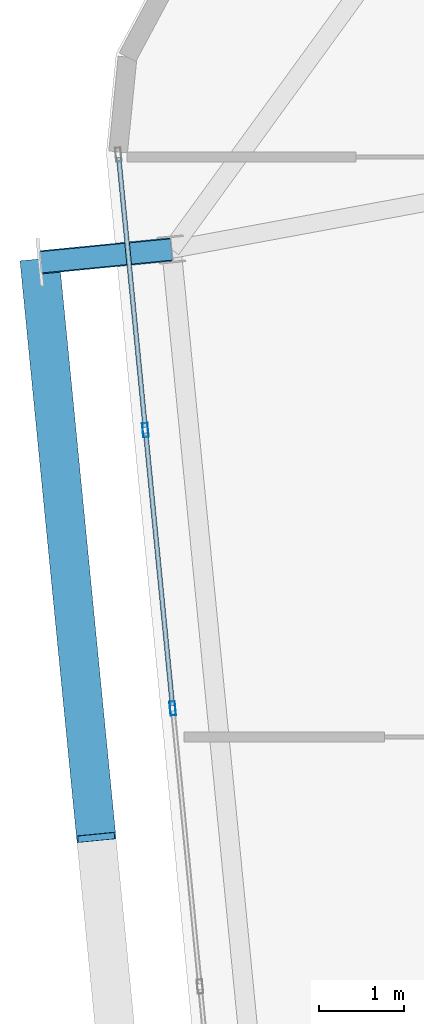
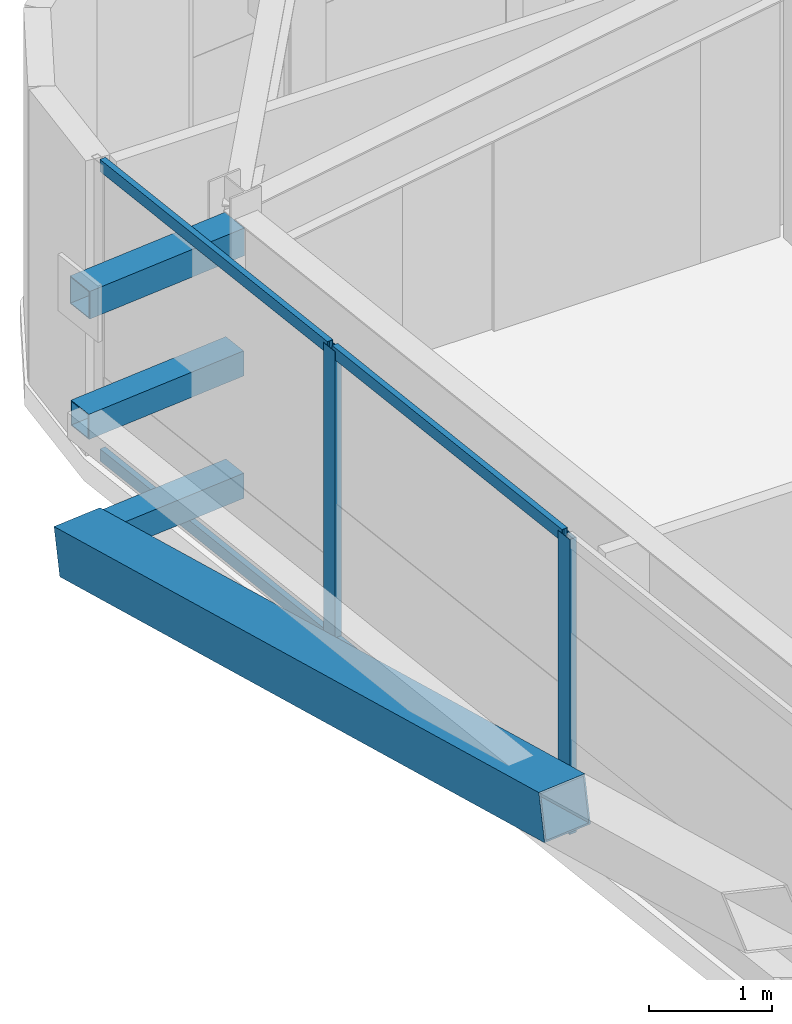
# One storey, part 15 of 52: 10 members, 1 element without a shape of its own.
"""IFC4 building model written with IfcOpenShell, lengths in metres."""

from ifc_helpers import new_model, si_unit, direction, frame, origin, origin_2d, place, context, subcontext, project, spatial, hollow_rectangle, extrude, source, transform, mapped, material, layer, layer_set, material_profile, profile_set, type_object, element, aggregate, save


model = new_model("IFC4")

# Units and contexts
model_context = context("Model", 3, precision=1e-05, world=origin(), true_north=direction((0.0, 1.0)))
body_context = subcontext(model_context, "Body", "Model", "MODEL_VIEW")
ifc_project = project(units=[si_unit("LENGTHUNIT", "METRE"), si_unit("AREAUNIT", "SQUARE_METRE"), si_unit("VOLUMEUNIT", "CUBIC_METRE"), si_unit("PLANEANGLEUNIT", "RADIAN"), si_unit("MASSUNIT", "GRAM", prefix="KILO")], contexts=[model_context])

# Site, building, storey
site_placement = place(None, origin())
site = spatial("IfcSite", under=ifc_project, at=site_placement, CompositionType="ELEMENT")
building_placement = place(site_placement, origin())
building = spatial("IfcBuilding", under=site, at=building_placement, Name="Taldren Reach Tower", CompositionType="ELEMENT")
storey_placement = place(building_placement, frame((0.0, 0.0, 93.449951171875)))
storey = spatial("IfcBuildingStorey", under=building, at=storey_placement, Name="L28", CompositionType="ELEMENT", Elevation=93.449951171875)

# Members
ifc_material_1 = material(Name="Steel Gr 450 (C450L0)", Category="steel")
ifc_material_profile_1 = material_profile(ifc_material_1, hollow_rectangle(XDim=0.27490234375, YDim=0.27490234375, WallThickness=0.00927734375, at=origin_2d()), Name="275x275x9.3SHS")
ifc_profile_set_1 = profile_set([ifc_material_profile_1], Name="Steel Gr 450 (C450L0)")
member_type_1 = type_object("IfcMemberType", Name="MB-TIE273", PredefinedType="STRUT", material=ifc_profile_set_1)
shared_shape_1 = source(origin(), body_context, "Body", "SweptSolid", [
    extrude(hollow_rectangle(XDim=0.27490234375, YDim=0.27490234375, WallThickness=0.00927734375, at=origin_2d()), origin(), (0.0, 0.0, 1.0), 1.550048828125),
])
member_1_placement = place(storey_placement, frame((8.808349609375, 30.116455078125, 2.650146484375), z_axis=(-0.9952210252, -0.097647892962, 0.0), x_axis=(0.097647892962, -0.9952210252, 0.0)))
element("IfcMember", 1, at=member_1_placement, inside=storey, type_object=member_type_1, Name="Exoskeleton diaphragm tie strut B2-W3 L28", PredefinedType="STRUT", context=body_context, shape_type="MappedRepresentation", body=[
    mapped(shared_shape_1, transform((0.0, 0.0, 0.0), scale=1.0)),
])
ifc_material_2 = material(Name="Steel Gr 350 (C350L0)", Category="steel")
ifc_material_profile_2 = material_profile(ifc_material_2, hollow_rectangle(XDim=0.25, YDim=0.25, WallThickness=0.010009765625, at=origin_2d()), Name="250x250x10.0SHS")
ifc_profile_set_2 = profile_set([ifc_material_profile_2], Name="Steel Gr 350 (C350L0)")
member_type_2 = type_object("IfcMemberType", Name="MB-POST250", PredefinedType="POST", material=ifc_profile_set_2)
shared_shape_2 = source(origin(), body_context, "Body", "SweptSolid", [
    extrude(hollow_rectangle(XDim=0.25, YDim=0.25, WallThickness=0.010009765625, at=origin_2d()), origin(), (0.0, 0.0, 1.0), 1.550048828125),
])
for number, where, z_axis, x_axis, name in (
    (2, (8.808349609375, 30.116455078125, 0.219970703125), (-0.9952210252, -0.097647892962, 0.0), (0.097647892962, -0.9952210252, 0.0), "Exoskeleton base diaphragm tie strut B2-W3 L28"),
    (3, (8.808349609375, 30.116455078125, 1.43505859375), (-0.9952210252, -0.097647892962, 0.0), (0.097647892962, -0.9952210252, 0.0), "Exoskeleton mid-tier diaphragm tie B2-W3 L28"),
):
    element("IfcMember", number, at=place(storey_placement, frame(where, z_axis=z_axis, x_axis=x_axis)), inside=storey, type_object=member_type_2, Name=name, PredefinedType="POST", context=body_context, shape_type="MappedRepresentation", body=[
        mapped(shared_shape_2, transform((0.0, 0.0, 0.0), scale=1.0)),
    ])
ifc_material_profile_3 = material_profile(ifc_material_1, hollow_rectangle(XDim=0.4599609375, YDim=0.4599609375, WallThickness=0.01611328125, at=origin_2d()), Name="460x460x16.0SHS")
ifc_profile_set_3 = profile_set([ifc_material_profile_3], Name="Steel Gr 450 (C450L0)")
member_type_3 = type_object("IfcMemberType", Name="MB-EXO457", PredefinedType="BRACE", material=ifc_profile_set_3)
shared_shape_3 = source(origin(), body_context, "Body", "SweptSolid", [
    extrude(hollow_rectangle(XDim=0.4599609375, YDim=0.4599609375, WallThickness=0.01611328125, at=origin_2d()), origin(), (0.0, 0.0, 1.0), 6.883056640625),
])
member_2_placement = place(storey_placement, frame((7.265625, 29.965087890625, 0.219970703125), z_axis=(0.09605145821, -0.97959718347, 0.176531797456), x_axis=(0.995227290009, 0.097584021339, 0.0)))
element("IfcMember", 4, at=member_2_placement, inside=storey, type_object=member_type_3, Name="Exoskeleton Diagrid Brace B2-W2 L28", PredefinedType="BRACE", context=body_context, shape_type="MappedRepresentation", body=[
    mapped(shared_shape_3, transform((0.0, 0.0, 0.0), scale=1.0)),
])

# Curtain wall, members
ifc_material_3 = material(Name="Aluminium and Low-E Glass Unitised System", Category="aluminium")
ifc_layer = layer(ifc_material_3, 0.159912109375)
ifc_layer_set = layer_set([ifc_layer], Name="Aluminium and Low-E Glass Unitised System")
curtain_wall_type = type_object("IfcCurtainWallType", Name="CW-SYS-3", PredefinedType="NOTDEFINED", material=ifc_layer_set)
curtain_wall_placement = place(storey_placement, origin())
curtain_wall = element("IfcCurtainWall", 5, at=curtain_wall_placement, inside=storey, type_object=curtain_wall_type, Name="Unitised curtain wall CW-L28-W", PredefinedType="NOTDEFINED")
ifc_material_4 = material(Name="Anodised Aluminium 6063-T6", Category="aluminium")
ifc_material_profile_4 = material_profile(ifc_material_4, hollow_rectangle(XDim=0.06494140625, YDim=0.1650390625, WallThickness=0.00390625, at=origin_2d()), Name="ALU-165x65x4RHS")
ifc_profile_set_4 = profile_set([ifc_material_profile_4], Name="Anodised Aluminium 6063-T6")
member_type_4 = type_object("IfcMemberType", Name="CW-MUL-165", PredefinedType="MULLION", material=ifc_profile_set_4)
shared_shape_4 = source(origin(), body_context, "Body", "SweptSolid", [
    extrude(hollow_rectangle(XDim=0.06494140625, YDim=0.1650390625, WallThickness=0.00390625, at=origin_2d()), origin(), (0.0, 0.0, 1.0), 2.929931640625),
])
member_3_placement = place(storey_placement, frame((8.50341796875, 27.998779296875, 0.0), z_axis=(0.0, 0.0, 1.0), x_axis=(0.99522741555, 0.09758274098, 0.0)))
member_3 = element("IfcMember", 6, at=member_3_placement, type_object=member_type_4, Name="CW-3 mullion 2", PredefinedType="MULLION", context=body_context, shape_type="MappedRepresentation", body=[
    mapped(shared_shape_4, transform((0.0, 0.0, 0.0), scale=1.0)),
])
member_4_placement = place(storey_placement, frame((8.8232421875, 24.736572265625, 0.0), z_axis=(0.0, 0.0, 1.0), x_axis=(0.99522741555, 0.09758274098, 0.0)))
member_4 = element("IfcMember", 7, at=member_4_placement, type_object=member_type_4, Name="CW-3 mullion 3", PredefinedType="MULLION", context=body_context, shape_type="MappedRepresentation", body=[
    mapped(shared_shape_4, transform((0.0, 0.0, 0.0), scale=1.0)),
])
ifc_material_profile_5 = material_profile(ifc_material_4, hollow_rectangle(XDim=0.054931640625, YDim=0.1201171875, WallThickness=0.0029296875, at=origin_2d()), Name="ALU-120x55x3RHS")
ifc_profile_set_5 = profile_set([ifc_material_profile_5], Name="Anodised Aluminium 6063-T6")
member_type_5 = type_object("IfcMemberType", Name="CW-TRN-135", PredefinedType="USERDEFINED", material=ifc_profile_set_5)
shared_shape_5 = source(origin(), body_context, "Body", "SweptSolid", [
    extrude(hollow_rectangle(XDim=0.054931640625, YDim=0.1201171875, WallThickness=0.0029296875, at=origin_2d()), origin(), (0.0, 0.0, 1.0), 3.18017578125),
])
member_5_placement = place(storey_placement, frame((8.18994140625, 31.1962890625, 0.027587890625), z_axis=(0.097572914968, -0.995228378949, 0.0), x_axis=(0.995228378949, 0.097572914968, 0.0)))
member_5 = element("IfcMember", 8, at=member_5_placement, type_object=member_type_5, Name="CW-3 transom 1.1", ObjectType="TRANSOM", PredefinedType="USERDEFINED", context=body_context, shape_type="MappedRepresentation", body=[
    mapped(shared_shape_5, transform((0.0, 0.0, 0.0), scale=1.0)),
])
member_6_placement = place(storey_placement, frame((8.18994140625, 31.1962890625, 2.902587890625), z_axis=(0.097572914968, -0.995228378949, 0.0), x_axis=(0.995228378949, 0.097572914968, 0.0)))
member_6 = element("IfcMember", 9, at=member_6_placement, type_object=member_type_5, Name="CW-3 transom 1.2", ObjectType="TRANSOM", PredefinedType="USERDEFINED", context=body_context, shape_type="MappedRepresentation", body=[
    mapped(shared_shape_5, transform((0.0, 0.0, 0.0), scale=1.0)),
])
shared_shape_6 = source(origin(), body_context, "Body", "SweptSolid", [
    extrude(hollow_rectangle(XDim=0.054931640625, YDim=0.1201171875, WallThickness=0.0029296875, at=origin_2d()), origin(), (0.0, 0.0, 1.0), 3.212890625),
])
member_7_placement = place(storey_placement, frame((8.506591796875, 27.966552734375, 0.027587890625), z_axis=(0.097569948235, -0.995228669805, 0.0), x_axis=(0.995228669805, 0.097569948235, 0.0)))
member_7 = element("IfcMember", 10, at=member_7_placement, type_object=member_type_5, Name="CW-3 transom 2.1", ObjectType="TRANSOM", PredefinedType="USERDEFINED", context=body_context, shape_type="MappedRepresentation", body=[
    mapped(shared_shape_6, transform((0.0, 0.0, 0.0), scale=1.0)),
])
member_8_placement = place(storey_placement, frame((8.506591796875, 27.966552734375, 2.902587890625), z_axis=(0.097569948235, -0.995228669805, 0.0), x_axis=(0.995228669805, 0.097569948235, 0.0)))
member_8 = element("IfcMember", 11, at=member_8_placement, type_object=member_type_5, Name="CW-3 transom 2.2", ObjectType="TRANSOM", PredefinedType="USERDEFINED", context=body_context, shape_type="MappedRepresentation", body=[
    mapped(shared_shape_6, transform((0.0, 0.0, 0.0), scale=1.0)),
])
aggregate(curtain_wall, [member_3, member_4, member_5, member_6, member_7, member_8])

save(model, "model.ifc")
